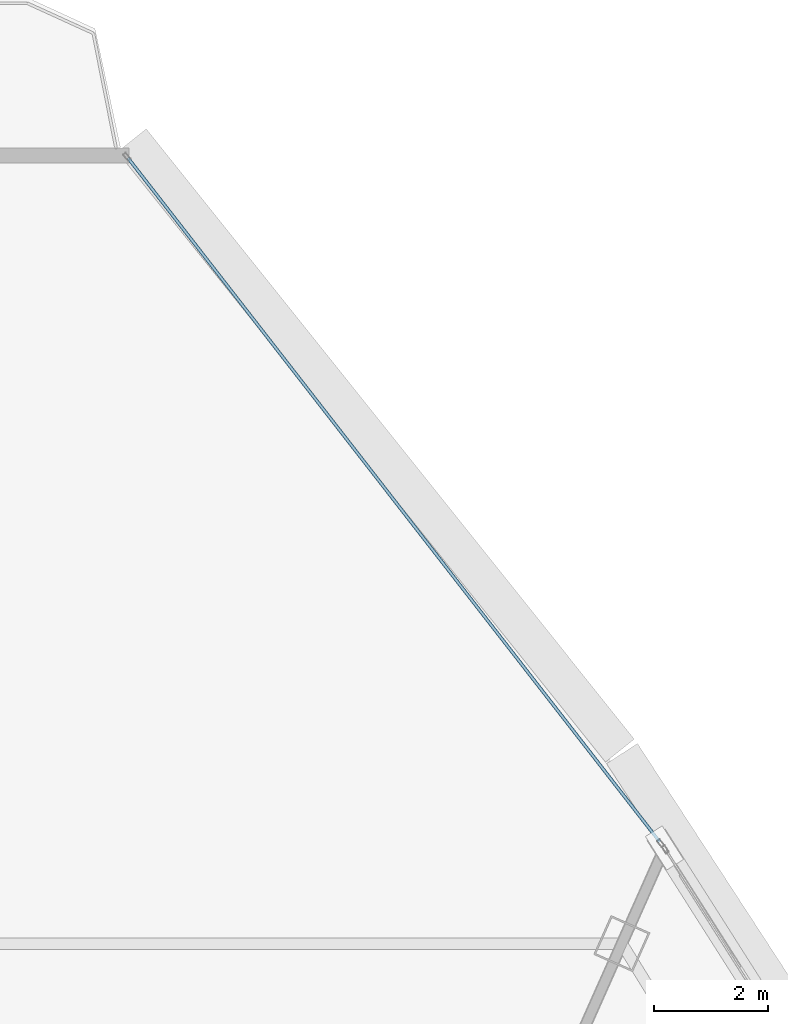
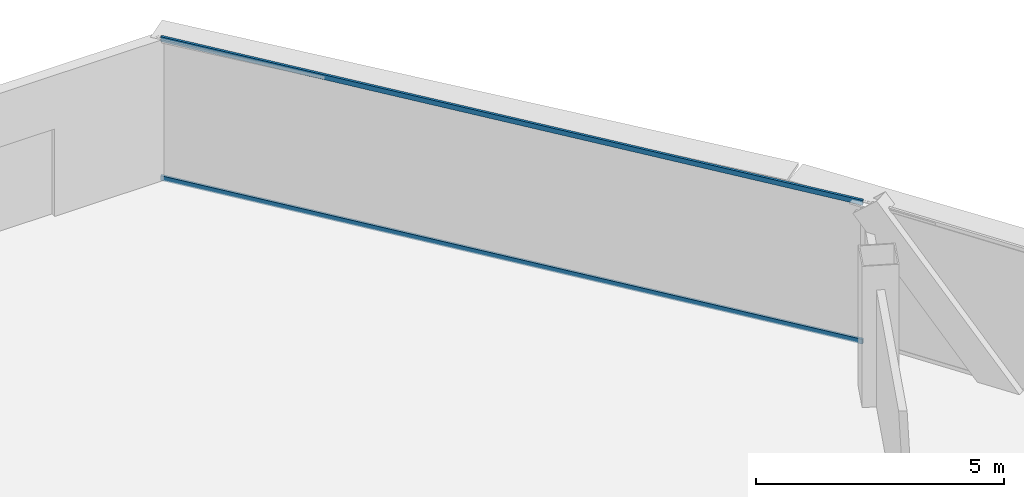
# One storey, part 26 of 35: 2 members, 1 element without a shape of its own.
"""IFC4 building model written with IfcOpenShell, lengths in metres."""

import ifcopenshell
import ifcopenshell.guid

model = None  # the IFC model being written
_history = None  # IfcOwnerHistory: only IFC2X3 demands one
_inside = {}  # id of a spatial element -> (the spatial element, [elements in it])
_under = {}  # id of a project, library or spatial element -> (it, [spatial elements below it])
_declared = {}  # id of a project -> (the project, [libraries it declares])
_typed = {}  # id of a type object -> (the type object, [elements of that type])
_made_of = {}  # id of a material, layer set ... -> (it, [elements and type objects made of it])


def new_model(schema):
    """Start an empty IFC model of exactly this schema.

    Asked for "IFC4X3", IfcOpenShell would pick the latest addendum, in which some entities
    have other attributes; the version numbers below select the first issue.
    IFC2X3 requires an IfcOwnerHistory on every rooted entity: one is made here for all.
    """
    global model, _history
    if schema == "IFC4X3":
        model = ifcopenshell.file(schema_version=(4, 3, 0, 0))
    else:
        model = ifcopenshell.file(schema=schema)
    _inside.clear()
    _under.clear()
    _declared.clear()
    _typed.clear()
    _made_of.clear()
    _history = None
    if model.schema == "IFC2X3":
        org = make("IfcOrganization", Name="unknown")
        user = make(
            "IfcPersonAndOrganization",
            ThePerson=make("IfcPerson", FamilyName="unknown"),
            TheOrganization=org,
        )
        app = make(
            "IfcApplication",
            ApplicationDeveloper=org,
            Version="unknown",
            ApplicationFullName="unknown",
            ApplicationIdentifier="unknown",
        )
        _history = make(
            "IfcOwnerHistory",
            OwningUser=user,
            OwningApplication=app,
            ChangeAction="ADDED",
            CreationDate=0,
        )
    return model


def make(cls, **values):
    """One entity of the class cls with the attributes given. An attribute that is None is left unset."""
    return model.create_entity(
        cls, **{name: value for name, value in values.items() if value is not None}
    )


def rooted(cls, **values):
    """An entity with a GlobalId (a new one), such as an element, a storey or a relation."""
    return make(cls, GlobalId=ifcopenshell.guid.new(), OwnerHistory=_history, **values)


def si_unit(unit_type, name, prefix=None):
    """IfcSIUnit, for example si_unit("LENGTHUNIT", "METRE", prefix="MILLI")."""
    return make("IfcSIUnit", UnitType=unit_type, Prefix=prefix, Name=name)


def assignment(units):
    """IfcUnitAssignment: the units of a project."""
    return None if units is None else make("IfcUnitAssignment", Units=units)


def point(xyz):
    """IfcCartesianPoint."""
    return None if xyz is None else make("IfcCartesianPoint", Coordinates=xyz)


def direction(xyz):
    """IfcDirection."""
    return None if xyz is None else make("IfcDirection", DirectionRatios=xyz)


def frame(location, z_axis=None, x_axis=None):
    """IfcAxis2Placement3D, a coordinate frame: its origin and axes. An axis left out is left unset."""
    return make(
        "IfcAxis2Placement3D",
        Location=point(location),
        Axis=direction(z_axis),
        RefDirection=direction(x_axis),
    )


def frame_2d(location, x_axis=None):
    """IfcAxis2Placement2D, a coordinate frame in the plane: its origin and x axis."""
    return make(
        "IfcAxis2Placement2D", Location=point(location), RefDirection=direction(x_axis)
    )


def origin():
    """The frame at (0, 0, 0) with its axes left unset."""
    return frame((0.0, 0.0, 0.0))


def origin_2d():
    """The frame at (0, 0) in the plane with its x axis left unset."""
    return frame_2d((0.0, 0.0))


def place(relative_to, where):
    """IfcLocalPlacement: puts the frame where relative to a parent placement (None: the world)."""
    return make(
        "IfcLocalPlacement", PlacementRelTo=relative_to, RelativePlacement=where
    )


def context(
    kind, dimensions, precision=None, world=None, true_north=None, identifier=None
):
    """IfcGeometricRepresentationContext, for example the 3D "Model" context."""
    return make(
        "IfcGeometricRepresentationContext",
        ContextIdentifier=identifier,
        ContextType=kind,
        CoordinateSpaceDimension=dimensions,
        Precision=precision,
        WorldCoordinateSystem=world,
        TrueNorth=true_north,
    )


def subcontext(parent, identifier, kind, view, scale=None):
    """IfcGeometricRepresentationSubContext, for example "Body" below "Model"."""
    return make(
        "IfcGeometricRepresentationSubContext",
        ContextIdentifier=identifier,
        ContextType=kind,
        ParentContext=parent,
        TargetScale=scale,
        TargetView=view,
    )


def project(units=None, contexts=None):
    """IfcProject with its units and contexts."""
    return rooted(
        "IfcProject",
        Name="project",
        RepresentationContexts=contexts,
        UnitsInContext=assignment(units),
    )


def spatial(cls, under=None, at=None, **own):
    """A site, building, storey or space (cls), placed at a placement, below another one or the project."""
    s = rooted(cls, ObjectPlacement=at, **own)
    if under is not None:
        _under.setdefault(under.id(), (under, []))[1].append(s)
    return s


def profile(cls, at=None, kind="AREA", **sizes):
    """A parametric profile (cls). Its sizes go by their IFC names, for example OverallWidth=200.0."""
    return make(cls, ProfileType=kind, Position=at, **sizes)


def hollow_rectangle(**sizes):
    """IfcRectangleHollowProfileDef."""
    return profile("IfcRectangleHollowProfileDef", **sizes)


def extrude(swept, where, along, depth):
    """IfcExtrudedAreaSolid: the profile swept, set in the frame where, extruded along a direction by depth."""
    return make(
        "IfcExtrudedAreaSolid",
        SweptArea=swept,
        Position=where,
        ExtrudedDirection=direction(along),
        Depth=depth,
    )


def shape(context_of_items, identifier, shape_type, items):
    """IfcShapeRepresentation: the items that make up one representation, for example the "Body"."""
    return make(
        "IfcShapeRepresentation",
        ContextOfItems=context_of_items,
        RepresentationIdentifier=identifier,
        RepresentationType=shape_type,
        Items=items,
    )


def source(mapping_origin, context_of_items, identifier, shape_type, items):
    """IfcRepresentationMap: a shape defined once, which mapped items show again and again."""
    return make(
        "IfcRepresentationMap",
        MappingOrigin=mapping_origin,
        MappedRepresentation=shape(context_of_items, identifier, shape_type, items),
    )


def transform(
    local_origin,
    x_axis=None,
    y_axis=None,
    z_axis=None,
    scale=None,
    scale2=None,
    scale3=None,
    uniform=True,
):
    """IfcCartesianTransformationOperator3D, or its non-uniform kind. x_axis, y_axis, z_axis: its Axis1, 2, 3."""
    if uniform:
        return make(
            "IfcCartesianTransformationOperator3D",
            Axis1=direction(x_axis),
            Axis2=direction(y_axis),
            LocalOrigin=point(local_origin),
            Scale=scale,
            Axis3=direction(z_axis),
        )
    return make(
        "IfcCartesianTransformationOperator3DnonUniform",
        Axis1=direction(x_axis),
        Axis2=direction(y_axis),
        LocalOrigin=point(local_origin),
        Scale=scale,
        Axis3=direction(z_axis),
        Scale2=scale2,
        Scale3=scale3,
    )


def mapped(mapping_source, mapping_target):
    """IfcMappedItem: shows the shape of a source again, moved by a transform."""
    return make(
        "IfcMappedItem", MappingSource=mapping_source, MappingTarget=mapping_target
    )


def material(Name=None, Category=None):
    """IfcMaterial."""
    return make("IfcMaterial", Name=Name, Category=Category)


def layer(
    of_material, thickness, ventilated=None, Name=None, Category=None, Priority=None
):
    """IfcMaterialLayer: one layer of a wall or slab, of a material (None: an air gap)."""
    return make(
        "IfcMaterialLayer",
        Material=of_material,
        LayerThickness=thickness,
        IsVentilated=ventilated,
        Name=Name,
        Category=Category,
        Priority=Priority,
    )


def layer_set(layers, Name=None):
    """IfcMaterialLayerSet."""
    return make("IfcMaterialLayerSet", MaterialLayers=layers, LayerSetName=Name)


def material_profile(
    of_material, cross_section, Name=None, Category=None, Priority=None
):
    """IfcMaterialProfile: a cross section and its material."""
    return make(
        "IfcMaterialProfile",
        Name=Name,
        Material=of_material,
        Profile=cross_section,
        Priority=Priority,
        Category=Category,
    )


def profile_set(profiles, Name=None, composite=None):
    """IfcMaterialProfileSet."""
    return make(
        "IfcMaterialProfileSet",
        Name=Name,
        MaterialProfiles=profiles,
        CompositeProfile=composite,
    )


def made_of(thing, what):
    """Note that an element or type object is made of a material, layer set ...; save() writes the relation."""
    if what is not None:
        _made_of.setdefault(what.id(), (what, []))[1].append(thing)
    return thing


def type_object(cls, material=None, **own):
    """A type object (cls), such as IfcWallType, which elements share."""
    return made_of(rooted(cls, **own), material)


def element(
    cls,
    number,
    at=None,
    inside=None,
    cuts=None,
    type_object=None,
    material=None,
    context=None,
    identifier="Body",
    shape_type=None,
    held_by="IfcProductDefinitionShape",
    body=None,
    shapes=None,
    **own,
):
    """One element of the class cls, such as IfcWall. Its Tag is "e" and its number.

    at: its placement. inside: the storey or other place that contains it. cuts: it is an
    opening in that element (IfcRelVoidsElement). A single representation is given by context,
    identifier, shape_type and body (its items); several are given by shapes. held_by: the class
    of the entity that holds the representations. save() writes the other relations.
    """
    e = rooted(cls, Tag="e%d" % number, ObjectPlacement=at, **own)
    if body is not None:
        shapes = [shape(context, identifier, shape_type, body)]
    if shapes is not None:
        e.Representation = make(held_by, Representations=shapes)
    if inside is not None:
        _inside.setdefault(inside.id(), (inside, []))[1].append(e)
    if cuts is not None:
        rooted(
            "IfcRelVoidsElement", RelatingBuildingElement=cuts, RelatedOpeningElement=e
        )
    if type_object is not None:
        _typed.setdefault(type_object.id(), (type_object, []))[1].append(e)
    return made_of(e, material)


def aggregate(whole, parts):
    """IfcRelAggregates: a whole, such as a stair, and the parts it consists of."""
    return rooted("IfcRelAggregates", RelatingObject=whole, RelatedObjects=parts)


def save(model, path):
    """Write the relations noted so far, then the file.

    IfcRelAggregates (storeys below a building ...), IfcRelContainedInSpatialStructure (elements
    in a storey), IfcRelDefinesByType, IfcRelAssociatesMaterial and IfcRelDeclares: one each for
    every whole, place, type object, material and project.
    """
    for whole, parts in _under.values():
        aggregate(whole, parts)
    for where, things in _inside.values():
        rooted(
            "IfcRelContainedInSpatialStructure",
            RelatedElements=things,
            RelatingStructure=where,
        )
    for kind, things in _typed.values():
        rooted("IfcRelDefinesByType", RelatedObjects=things, RelatingType=kind)
    for what, things in _made_of.values():
        rooted("IfcRelAssociatesMaterial", RelatedObjects=things, RelatingMaterial=what)
    for by, libraries in _declared.values():
        rooted("IfcRelDeclares", RelatingContext=by, RelatedDefinitions=libraries)
    model.write(path)


model = new_model("IFC4")

# Units and contexts
model_context = context("Model", 3, precision=1e-05, world=origin(), true_north=direction((0.0, 1.0)))
body_context = subcontext(model_context, "Body", "Model", "MODEL_VIEW")
ifc_project = project(units=[si_unit("LENGTHUNIT", "METRE"), si_unit("AREAUNIT", "SQUARE_METRE"), si_unit("VOLUMEUNIT", "CUBIC_METRE"), si_unit("PLANEANGLEUNIT", "RADIAN"), si_unit("MASSUNIT", "GRAM", prefix="KILO"), si_unit("THERMODYNAMICTEMPERATUREUNIT", "KELVIN"), si_unit("POWERUNIT", "WATT")], contexts=[model_context])

# Site, building, storey
site_placement = place(None, origin())
site = spatial("IfcSite", under=ifc_project, at=site_placement, CompositionType="ELEMENT")
building_placement = place(site_placement, origin())
building = spatial("IfcBuilding", under=site, at=building_placement, Name="Yunzhuo Pagoda Commons", CompositionType="ELEMENT")
storey_placement = place(building_placement, frame((0.0, 0.0, 299.93994140625)))
storey = spatial("IfcBuildingStorey", under=building, at=storey_placement, Name="L75", CompositionType="ELEMENT", Elevation=299.93994140625)

# Curtain wall, members
ifc_material = material(Name="Anodized aluminium 6063-T6", Category="aluminium")
ifc_layer = layer(ifc_material, 0.139892578125)
ifc_layer_set = layer_set([ifc_layer], Name="Anodized aluminium 6063-T6")
curtain_wall_type = type_object("IfcCurtainWallType", Name="CW-HI High-Zone Ribbon Curtain Wall", PredefinedType="NOTDEFINED", material=ifc_layer_set)
curtain_wall_placement = place(storey_placement, origin())
curtain_wall = element("IfcCurtainWall", 1, at=curtain_wall_placement, inside=storey, type_object=curtain_wall_type, Name="L75 curtain wall CW-L75-F2B5", PredefinedType="NOTDEFINED")
ifc_material_profile = material_profile(ifc_material, hollow_rectangle(XDim=0.054931640625, YDim=0.1201171875, WallThickness=0.00341796875, at=origin_2d()), Name="Anodized aluminium 6063-T6")
ifc_profile_set = profile_set([ifc_material_profile], Name="Anodized aluminium 6063-T6")
member_type = type_object("IfcMemberType", Name="CW-HI-T Transom RHS 120x55x3.5", PredefinedType="USERDEFINED", material=ifc_profile_set)
shared_shape = source(origin(), body_context, "Body", "SweptSolid", [
    extrude(hollow_rectangle(XDim=0.054931640625, YDim=0.1201171875, WallThickness=0.00341796875, at=origin_2d()), origin(), (0.0, 0.0, 1.0), 15.25146484375),
])
member_1_placement = place(storey_placement, frame((60.78173828125, 62.70068359375, 0.027587890625), z_axis=(-0.613841977514, 0.789428924376, 0.0), x_axis=(-0.789428924376, -0.613841977514, 0.0)))
member_1 = element("IfcMember", 2, at=member_1_placement, type_object=member_type, Name="CW transom 1.1", ObjectType="TRANSOM", PredefinedType="USERDEFINED", context=body_context, shape_type="MappedRepresentation", body=[
    mapped(shared_shape, transform((0.0, 0.0, 0.0), scale=1.0)),
])
member_2_placement = place(storey_placement, frame((60.78173828125, 62.70068359375, 3.442626953125), z_axis=(-0.613841977514, 0.789428924376, 0.0), x_axis=(-0.789428924376, -0.613841977514, 0.0)))
member_2 = element("IfcMember", 3, at=member_2_placement, type_object=member_type, Name="CW transom 1.2", ObjectType="TRANSOM", PredefinedType="USERDEFINED", context=body_context, shape_type="MappedRepresentation", body=[
    mapped(shared_shape, transform((0.0, 0.0, 0.0), scale=1.0)),
])
aggregate(curtain_wall, [member_1, member_2])

save(model, "model.ifc")
